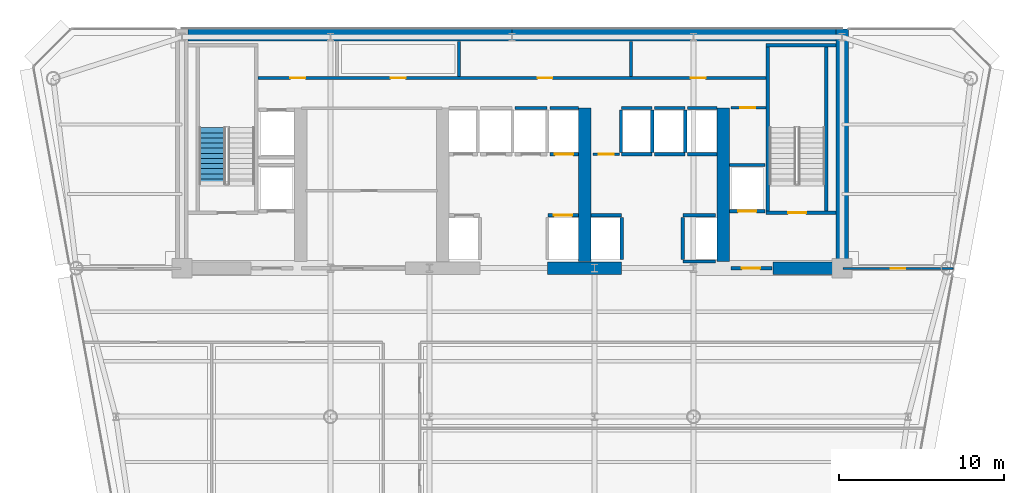
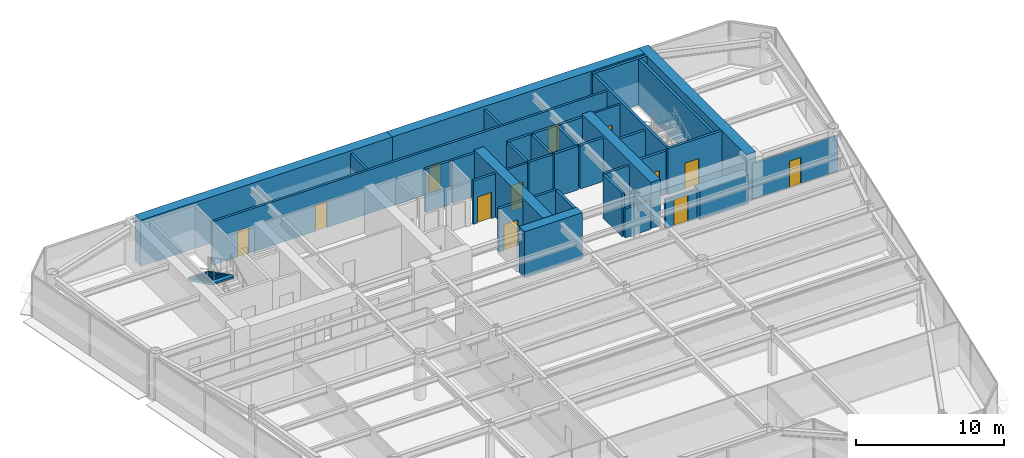
# One storey, part 12 of 17: 38 walls, 12 doors, 1 stair flight, 12 openings, 1 element without a shape of its own.
"""IFC4 building model written with IfcOpenShell, lengths in metres."""

from ifc_helpers import new_model, si_unit, direction, frame, frame_2d, origin, place, context, subcontext, project, spatial, polyline, rectangle, outline, extrude, source, transform, mapped, material, layer, layer_set, type_object, element, fill, aggregate, save


model = new_model("IFC4")

# Units and contexts
model_context = context("Model", 3, precision=1e-05, world=origin(), true_north=direction((0.0, 1.0)))
body_context = subcontext(model_context, "Body", "Model", "MODEL_VIEW")
ifc_project = project(units=[si_unit("LENGTHUNIT", "METRE"), si_unit("AREAUNIT", "SQUARE_METRE"), si_unit("VOLUMEUNIT", "CUBIC_METRE"), si_unit("PLANEANGLEUNIT", "RADIAN"), si_unit("MASSUNIT", "GRAM", prefix="KILO")], contexts=[model_context])

# Site, building, storey
site_placement = place(None, origin())
site = spatial("IfcSite", under=ifc_project, at=site_placement, CompositionType="ELEMENT")
building_placement = place(site_placement, origin())
building = spatial("IfcBuilding", under=site, at=building_placement, Name="Vaeldorn Concourse Tower", CompositionType="ELEMENT")
storey_placement = place(building_placement, frame((0.0, 0.0, 161.39990234375)))
storey = spatial("IfcBuildingStorey", under=building, at=storey_placement, Name="L41", CompositionType="ELEMENT", Elevation=161.39990234375)

# Walls
ifc_material_1 = material(Name="Concrete C60/75", Category="concrete")
ifc_layer_1 = layer(ifc_material_1, 0.75)
ifc_layer_set_1 = layer_set([ifc_layer_1], Name="Concrete C60/75")
wall_type_1 = type_object("IfcWallType", Name="WL-CORE-750", PredefinedType="SHEAR", material=ifc_layer_set_1)
for number, where, z_axis, x_axis, name in (
    (1, (14.37890625, 50.625, 0.0), (0.0, 0.0, 1.0), (1.0, 0.0, 0.0), "Rear Core Shear Wall L41 N1"),
    (2, (34.001953125, 50.625, 0.0), (0.0, 0.0, 1.0), (1.0, 0.0, 0.0), "Rear Core Shear Wall L41 N2"),
):
    element("IfcWall", number, at=place(storey_placement, frame(where, z_axis=z_axis, x_axis=x_axis)), inside=storey, type_object=wall_type_1, Name=name, PredefinedType="SHEAR", context=body_context, shape_type="SweptSolid", body=[
        extrude(rectangle(XDim=19.619140625, YDim=0.75, at=frame_2d((9.8095703125, 0.0))), origin(), (0.0, 0.0, 1.0), 3.800048828125),
    ])
wall_1_placement = place(storey_placement, frame((54.0, 36.5, 0.0), z_axis=(0.0, 0.0, 1.0), x_axis=(0.0, 1.0, 0.0)))
element("IfcWall", 3, at=wall_1_placement, inside=storey, type_object=wall_type_1, Name="Rear Core Shear Wall L41 E1", PredefinedType="SHEAR", context=body_context, shape_type="SweptSolid", body=[
    extrude(rectangle(XDim=14.5, YDim=0.75, at=frame_2d((7.25, 0.0))), origin(), (0.0, 0.0, 1.0), 3.800048828125),
])
wall_2_placement = place(storey_placement, frame((36.14990234375, 36.5, 0.0), z_axis=(0.0, 0.0, 1.0), x_axis=(1.0, 0.0, 0.0)))
element("IfcWall", 4, at=wall_2_placement, inside=storey, type_object=wall_type_1, Name="Rear Core Shear Wall L41 S3", PredefinedType="SHEAR", context=body_context, shape_type="SweptSolid", body=[
    extrude(rectangle(XDim=4.5, YDim=0.75, at=frame_2d((2.25, 0.0))), origin(), (0.0, 0.0, 1.0), 3.800048828125),
])
wall_3_placement = place(storey_placement, frame((49.800048828125, 36.5, 0.0), z_axis=(0.0, 0.0, 1.0), x_axis=(1.0, 0.0, 0.0)))
element("IfcWall", 5, at=wall_3_placement, inside=storey, type_object=wall_type_1, Name="Rear Core Shear Wall L41 S4", PredefinedType="SHEAR", context=body_context, shape_type="SweptSolid", body=[
    extrude(rectangle(XDim=3.804931640625, YDim=0.75, at=frame_2d((1.90234375, 0.0))), origin(), (0.0, 0.0, 1.0), 2.380126953125),
])
for number, where, z_axis, x_axis, name in (
    (6, (38.39990234375, 36.89501953125, 0.0), (0.0, 0.0, 1.0), (0.0, 1.0, 0.0), "Rear Core Shear Wall L41 M3"),
    (7, (46.800048828125, 36.89501953125, 0.0), (0.0, 0.0, 1.0), (0.0, 1.0, 0.0), "Rear Core Shear Wall L41 M4"),
):
    element("IfcWall", number, at=place(storey_placement, frame(where, z_axis=z_axis, x_axis=x_axis)), inside=storey, type_object=wall_type_1, Name=name, PredefinedType="SHEAR", context=body_context, shape_type="SweptSolid", body=[
        extrude(rectangle(XDim=9.304931640625, YDim=0.75, at=frame_2d((4.65234375, 0.0))), origin(), (0.0, 0.0, 1.0), 3.800048828125),
    ])

# Wall, opening, door
ifc_material_2 = material(Name="Gypsum Board Partition", Category="gypsum")
ifc_layer_2 = layer(ifc_material_2, 0.1201171875)
ifc_layer_set_2 = layer_set([ifc_layer_2], Name="Gypsum Board Partition")
wall_type_2 = type_object("IfcWallType", Name="WL-PART-120", PredefinedType="PARTITIONING", material=ifc_layer_set_2)
wall_4_placement = place(storey_placement, frame((54.06005859375, 36.47998046875, 0.0), z_axis=(0.0, 0.0, 1.0), x_axis=(1.0, 0.0, 0.0)))
wall_4 = element("IfcWall", 8, at=wall_4_placement, inside=storey, type_object=wall_type_2, Name="Interior Wall PW-L41-NES", PredefinedType="PARTITIONING", context=body_context, shape_type="SweptSolid", body=[
    extrude(rectangle(XDim=6.66552734375, YDim=0.1201171875, at=frame_2d((3.332763671875, 0.0))), origin(), (0.0, 0.0, 1.0), 2.97021484375),
])
opening_1_placement = place(wall_4_placement, frame((2.883056640625, 0.0, 0.0)))
opening_1 = element("IfcOpeningElement", 9, at=opening_1_placement, cuts=wall_4, Name="Opening D-03", PredefinedType="OPENING", context=body_context, shape_type="SweptSolid", body=[
    extrude(rectangle(XDim=0.89990234375, YDim=2.14990234375, at=frame_2d((0.449951171875, 1.074951171875))), frame((0.0, 0.070068359375, 0.0), z_axis=(0.0, -1.0, 0.0), x_axis=(1.0, 0.0, 0.0)), (0.0, 0.0, 1.0), 0.14013671875),
])
ifc_material_3 = material(Name="Acoustic Bronze-Framed Glass Door", Category="glass")
door_type_1 = type_object("IfcDoorType", Name="DR-INT-900", OperationType="NOTDEFINED", PredefinedType="DOOR", material=ifc_material_3)
shared_shape_1 = source(origin(), body_context, "Body", "SweptSolid", [
    extrude(rectangle(XDim=0.89990234375, YDim=2.14990234375, at=frame_2d((0.449951171875, 1.074951171875))), frame((0.0, 0.02490234375, 0.0), z_axis=(0.0, -1.0, 0.0), x_axis=(1.0, 0.0, 0.0)), (0.0, 0.0, 1.0), 0.050048828125),
])
door_1_placement = place(opening_1_placement, origin())
door_1 = element("IfcDoor", 10, at=door_1_placement, inside=storey, type_object=door_type_1, Name="Interior Door DR-L41-NEC", OperationType="SINGLE_SWING_RIGHT", OverallHeight=2.14990234375, OverallWidth=0.89990234375, PredefinedType="DOOR", context=body_context, shape_type="MappedRepresentation", body=[
    mapped(shared_shape_1, transform((0.0, 0.0, 0.0), scale=1.0)),
])
fill(opening_1, door_1)

ifc_layer_3 = layer(ifc_material_2, 0.14990234375)
ifc_layer_set_3 = layer_set([ifc_layer_3], Name="Gypsum Board Partition")
wall_type_3 = type_object("IfcWallType", Name="WL-PART-150", PredefinedType="PARTITIONING", material=ifc_layer_set_3)
wall_5_placement = place(storey_placement, frame((47.280029296875, 46.219970703125, 0.0), z_axis=(0.0, 0.0, 1.0), x_axis=(1.0, 0.0, 0.0)))
wall_5 = element("IfcWall", 11, at=wall_5_placement, inside=storey, type_object=wall_type_3, Name="Interior Wall CW-L41-CRSE-N", PredefinedType="PARTITIONING", context=body_context, shape_type="SweptSolid", body=[
    extrude(rectangle(XDim=2.099853515625, YDim=0.14990234375, at=frame_2d((1.0498046875, 0.0))), origin(), (0.0, 0.0, 1.0), 3.580078125),
])
opening_2_placement = place(wall_5_placement, frame((0.550048828125, 0.0, 0.0)))
opening_2 = element("IfcOpeningElement", 12, at=opening_2_placement, cuts=wall_5, Name="Opening D-02", PredefinedType="OPENING", context=body_context, shape_type="SweptSolid", body=[
    extrude(rectangle(XDim=0.89990234375, YDim=2.10009765625, at=frame_2d((0.449951171875, 1.050048828125))), frame((0.0, 0.0849609375, 0.0), z_axis=(0.0, -1.0, 0.0), x_axis=(1.0, 0.0, 0.0)), (0.0, 0.0, 1.0), 0.169921875),
])
ifc_material_4 = material(Name="Fire-Rated Timber Leaf", Category="wood")
door_type_2 = type_object("IfcDoorType", Name="DR-FD30-900", OperationType="NOTDEFINED", PredefinedType="DOOR", material=ifc_material_4)
shared_shape_2 = source(origin(), body_context, "Body", "SweptSolid", [
    extrude(rectangle(XDim=0.89990234375, YDim=2.10009765625, at=frame_2d((0.449951171875, 1.050048828125))), frame((0.0, 0.02490234375, 0.0), z_axis=(0.0, -1.0, 0.0), x_axis=(1.0, 0.0, 0.0)), (0.0, 0.0, 1.0), 0.050048828125),
])
door_2_placement = place(opening_2_placement, origin())
door_2 = element("IfcDoor", 13, at=door_2_placement, inside=storey, type_object=door_type_2, Name="Interior Door DR-L41-CRSE", OperationType="SINGLE_SWING_RIGHT", OverallHeight=2.10009765625, OverallWidth=0.89990234375, PredefinedType="DOOR", context=body_context, shape_type="MappedRepresentation", body=[
    mapped(shared_shape_2, transform((0.0, 0.0, 0.0), scale=1.0)),
])
fill(opening_2, door_2)

wall_6_placement = place(storey_placement, frame((38.919921875, 43.39990234375, 0.0), z_axis=(0.0, 0.0, 1.0), x_axis=(1.0, 0.0, 0.0)))
wall_6 = element("IfcWall", 14, at=wall_6_placement, inside=storey, type_object=wall_type_3, Name="Interior Wall CW-L41-CCLINK", PredefinedType="PARTITIONING", context=body_context, shape_type="SweptSolid", body=[
    extrude(rectangle(XDim=1.60009765625, YDim=0.14990234375, at=frame_2d((0.800048828125, 0.0))), origin(), (0.0, 0.0, 1.0), 3.580078125),
])
opening_3_placement = place(wall_6_placement, frame((0.35009765625, 0.0, 0.0)))
opening_3 = element("IfcOpeningElement", 15, at=opening_3_placement, cuts=wall_6, Name="Opening D-02", PredefinedType="OPENING", context=body_context, shape_type="SweptSolid", body=[
    extrude(rectangle(XDim=0.89990234375, YDim=2.10009765625, at=frame_2d((0.449951171875, 1.050048828125))), frame((0.0, 0.0849609375, 0.0), z_axis=(0.0, -1.0, 0.0), x_axis=(1.0, 0.0, 0.0)), (0.0, 0.0, 1.0), 0.169921875),
])
door_3_placement = place(opening_3_placement, origin())
door_3 = element("IfcDoor", 16, at=door_3_placement, inside=storey, type_object=door_type_2, Name="Interior Door DR-L41-CCLINK", OperationType="SINGLE_SWING_LEFT", OverallHeight=2.10009765625, OverallWidth=0.89990234375, PredefinedType="DOOR", context=body_context, shape_type="MappedRepresentation", body=[
    mapped(shared_shape_2, transform((0.0, 0.0, 0.0), scale=1.0)),
])
fill(opening_3, door_3)

# Wall, openings, doors
ifc_layer_4 = layer(ifc_material_2, 0.179931640625)
ifc_layer_set_4 = layer_set([ifc_layer_4], Name="Gypsum Board Partition")
wall_type_4 = type_object("IfcWallType", Name="WL-PLUMB-180", PredefinedType="PLUMBINGWALL", material=ifc_layer_set_4)
wall_7_placement = place(storey_placement, frame((18.6201171875, 48.02001953125, 0.0), z_axis=(0.0, 0.0, 1.0), x_axis=(1.0, 0.0, 0.0)))
wall_7 = element("IfcWall", 17, at=wall_7_placement, inside=storey, type_object=wall_type_4, Name="Interior Wall CW-L41-NS0", PredefinedType="PLUMBINGWALL", context=body_context, shape_type="SweptSolid", body=[
    extrude(rectangle(XDim=30.759765625, YDim=0.179931640625, at=frame_2d((15.3798828125, 0.0))), origin(), (0.0, 0.0, 1.0), 3.580078125),
])
opening_4_placement = place(wall_7_placement, frame((1.955078125, 0.0, 0.0)))
opening_4 = element("IfcOpeningElement", 18, at=opening_4_placement, cuts=wall_7, Name="Opening D-03", PredefinedType="OPENING", context=body_context, shape_type="SweptSolid", body=[
    extrude(rectangle(XDim=0.89990234375, YDim=2.14990234375, at=frame_2d((0.449951171875, 1.074951171875))), frame((0.0, 0.10009765625, 0.0), z_axis=(0.0, -1.0, 0.0), x_axis=(1.0, 0.0, 0.0)), (0.0, 0.0, 1.0), 0.199951171875),
])
opening_5_placement = place(wall_7_placement, frame((8.030029296875, 0.0, 0.0)))
opening_5 = element("IfcOpeningElement", 19, at=opening_5_placement, cuts=wall_7, Name="Opening D-03", PredefinedType="OPENING", context=body_context, shape_type="SweptSolid", body=[
    extrude(rectangle(XDim=0.89990234375, YDim=2.14990234375, at=frame_2d((0.449951171875, 1.074951171875))), frame((0.0, 0.10009765625, 0.0), z_axis=(0.0, -1.0, 0.0), x_axis=(1.0, 0.0, 0.0)), (0.0, 0.0, 1.0), 0.199951171875),
])
opening_6_placement = place(wall_7_placement, frame((16.929931640625, 0.0, 0.0)))
opening_6 = element("IfcOpeningElement", 20, at=opening_6_placement, cuts=wall_7, Name="Opening D-03", PredefinedType="OPENING", context=body_context, shape_type="SweptSolid", body=[
    extrude(rectangle(XDim=0.89990234375, YDim=2.14990234375, at=frame_2d((0.449951171875, 1.074951171875))), frame((0.0, 0.10009765625, 0.0), z_axis=(0.0, -1.0, 0.0), x_axis=(1.0, 0.0, 0.0)), (0.0, 0.0, 1.0), 0.199951171875),
])
opening_7_placement = place(wall_7_placement, frame((26.205078125, 0.0, 0.0)))
opening_7 = element("IfcOpeningElement", 21, at=opening_7_placement, cuts=wall_7, Name="Opening D-03", PredefinedType="OPENING", context=body_context, shape_type="SweptSolid", body=[
    extrude(rectangle(XDim=0.89990234375, YDim=2.14990234375, at=frame_2d((0.449951171875, 1.074951171875))), frame((0.0, 0.10009765625, 0.0), z_axis=(0.0, -1.0, 0.0), x_axis=(1.0, 0.0, 0.0)), (0.0, 0.0, 1.0), 0.199951171875),
])
door_4_placement = place(opening_4_placement, origin())
door_4 = element("IfcDoor", 22, at=door_4_placement, inside=storey, type_object=door_type_1, Name="Interior Door DR-L41-CS1", OperationType="SINGLE_SWING_LEFT", OverallHeight=2.14990234375, OverallWidth=0.89990234375, PredefinedType="DOOR", context=body_context, shape_type="MappedRepresentation", body=[
    mapped(shared_shape_1, transform((0.0, 0.0, 0.0), scale=1.0)),
])
fill(opening_4, door_4)
door_5_placement = place(opening_5_placement, origin())
door_5 = element("IfcDoor", 23, at=door_5_placement, inside=storey, type_object=door_type_1, Name="Interior Door DR-L41-CS2", OperationType="SINGLE_SWING_RIGHT", OverallHeight=2.14990234375, OverallWidth=0.89990234375, PredefinedType="DOOR", context=body_context, shape_type="MappedRepresentation", body=[
    mapped(shared_shape_1, transform((0.0, 0.0, 0.0), scale=1.0)),
])
fill(opening_5, door_5)
door_6_placement = place(opening_6_placement, origin())
door_6 = element("IfcDoor", 24, at=door_6_placement, inside=storey, type_object=door_type_1, Name="Interior Door DR-L41-CS3", OperationType="SINGLE_SWING_LEFT", OverallHeight=2.14990234375, OverallWidth=0.89990234375, PredefinedType="DOOR", context=body_context, shape_type="MappedRepresentation", body=[
    mapped(shared_shape_1, transform((0.0, 0.0, 0.0), scale=1.0)),
])
fill(opening_6, door_6)
door_7_placement = place(opening_7_placement, origin())
door_7 = element("IfcDoor", 25, at=door_7_placement, inside=storey, type_object=door_type_1, Name="Interior Door DR-L41-CS4", OperationType="SINGLE_SWING_RIGHT", OverallHeight=2.14990234375, OverallWidth=0.89990234375, PredefinedType="DOOR", context=body_context, shape_type="MappedRepresentation", body=[
    mapped(shared_shape_1, transform((0.0, 0.0, 0.0), scale=1.0)),
])
fill(opening_7, door_7)

# Walls
for number, where, z_axis, x_axis, name in (
    (26, (30.800048828125, 48.10009765625, 0.0), (0.0, 0.0, 1.0), (0.0, 1.0, 0.0), "Interior Wall CW-L41-NDIV2"),
    (27, (41.199951171875, 48.10009765625, 0.0), (0.0, 0.0, 1.0), (0.0, 1.0, 0.0), "Interior Wall CW-L41-NDIV3"),
):
    element("IfcWall", number, at=place(storey_placement, frame(where, z_axis=z_axis, x_axis=x_axis)), inside=storey, type_object=wall_type_4, Name=name, PredefinedType="PLUMBINGWALL", context=body_context, shape_type="SweptSolid", body=[
        extrude(rectangle(XDim=2.1298828125, YDim=0.179931640625, at=frame_2d((1.06494140625, 0.0))), origin(), (0.0, 0.0, 1.0), 3.580078125),
    ])

# Wall, opening, door
ifc_material_5 = material(Name="Concrete C50/60", Category="concrete")
ifc_layer_5 = layer(ifc_material_5, 0.199951171875)
ifc_layer_set_5 = layer_set([ifc_layer_5], Name="Concrete C50/60")
wall_type_5 = type_object("IfcWallType", Name="WL-SHAFT-200", PredefinedType="SOLIDWALL", material=ifc_layer_set_5)
wall_8_placement = place(storey_placement, frame((49.39990234375, 39.85009765625, 0.0), z_axis=(0.0, 0.0, 1.0), x_axis=(1.0, 0.0, 0.0)))
wall_8 = element("IfcWall", 28, at=wall_8_placement, inside=storey, type_object=wall_type_5, Name="Stair Shaft Wall CW-L41-ST-2-S", PredefinedType="SOLIDWALL", context=body_context, shape_type="SweptSolid", body=[
    extrude(rectangle(XDim=4.22509765625, YDim=0.199951171875, at=frame_2d((2.112548828125, 0.0))), origin(), (0.0, 0.0, 1.0), 3.800048828125),
])
opening_8_placement = place(wall_8_placement, frame((1.324951171875, 0.0, 0.0)))
opening_8 = element("IfcOpeningElement", 29, at=opening_8_placement, cuts=wall_8, Name="Opening D-01", PredefinedType="OPENING", context=body_context, shape_type="SweptSolid", body=[
    extrude(rectangle(XDim=1.10009765625, YDim=2.14990234375, at=frame_2d((0.550048828125, 1.074951171875))), frame((0.0, 0.10986328125, 0.0), z_axis=(0.0, -1.0, 0.0), x_axis=(1.0, 0.0, 0.0)), (0.0, 0.0, 1.0), 0.219970703125),
])
ifc_material_6 = material(Name="Fire-Rated Timber and Steel Leaf", Category="steel")
door_type_3 = type_object("IfcDoorType", Name="DR-FD60-1100", OperationType="NOTDEFINED", PredefinedType="DOOR", material=ifc_material_6)
shared_shape_3 = source(origin(), body_context, "Body", "SweptSolid", [
    extrude(rectangle(XDim=1.10009765625, YDim=2.14990234375, at=frame_2d((0.550048828125, 1.074951171875))), frame((0.0, 0.02490234375, 0.0), z_axis=(0.0, -1.0, 0.0), x_axis=(1.0, 0.0, 0.0)), (0.0, 0.0, 1.0), 0.050048828125),
])
door_8_placement = place(opening_8_placement, origin())
door_8 = element("IfcDoor", 30, at=door_8_placement, inside=storey, type_object=door_type_3, Name="Interior Door DR-L41-ST-2", OperationType="SINGLE_SWING_RIGHT", OverallHeight=2.14990234375, OverallWidth=1.10009765625, PredefinedType="DOOR", context=body_context, shape_type="MappedRepresentation", body=[
    mapped(shared_shape_3, transform((0.0, 0.0, 0.0), scale=1.0)),
])
fill(opening_8, door_8)

# Walls
wall_9_placement = place(storey_placement, frame((49.39990234375, 50.0, 0.0), z_axis=(0.0, 0.0, 1.0), x_axis=(1.0, 0.0, 0.0)))
element("IfcWall", 31, at=wall_9_placement, inside=storey, type_object=wall_type_5, Name="Stair Shaft Wall CW-L41-ST-2-N", PredefinedType="SOLIDWALL", context=body_context, shape_type="SweptSolid", body=[
    extrude(rectangle(XDim=4.22509765625, YDim=0.199951171875, at=frame_2d((2.112548828125, 0.0))), origin(), (0.0, 0.0, 1.0), 3.800048828125),
])
for number, where, z_axis, x_axis, name in (
    (32, (49.5, 39.9599609375, 0.0), (0.0, 0.0, 1.0), (0.0, 1.0, 0.0), "Stair Shaft Wall CW-L41-ST-2-W"),
    (33, (53.050048828125, 39.9599609375, 0.0), (0.0, 0.0, 1.0), (0.0, 1.0, 0.0), "Stair Shaft Wall CW-L41-ST-2-E"),
):
    element("IfcWall", number, at=place(storey_placement, frame(where, z_axis=z_axis, x_axis=x_axis)), inside=storey, type_object=wall_type_5, Name=name, PredefinedType="SOLIDWALL", context=body_context, shape_type="SweptSolid", body=[
        extrude(rectangle(XDim=9.929931640625, YDim=0.199951171875, at=frame_2d((4.96484375, 0.0))), origin(), (0.0, 0.0, 1.0), 3.800048828125),
    ])

# Wall, opening, door
wall_10_placement = place(storey_placement, frame((47.280029296875, 36.5, 0.0), z_axis=(0.0, 0.0, 1.0), x_axis=(1.0, 0.0, 0.0)))
wall_10 = element("IfcWall", 34, at=wall_10_placement, inside=storey, type_object=wall_type_5, Name="Interior Wall CW-L41-FF2S", PredefinedType="SOLIDWALL", context=body_context, shape_type="SweptSolid", body=[
    extrude(rectangle(XDim=2.469970703125, YDim=0.199951171875, at=frame_2d((1.23486328125, 0.0))), origin(), (0.0, 0.0, 1.0), 2.3701171875),
])
opening_9_placement = place(wall_10_placement, frame((0.64990234375, 0.0, 0.0)))
opening_9 = element("IfcOpeningElement", 35, at=opening_9_placement, cuts=wall_10, Name="Opening D-01", PredefinedType="OPENING", context=body_context, shape_type="SweptSolid", body=[
    extrude(rectangle(XDim=1.10009765625, YDim=2.14990234375, at=frame_2d((0.550048828125, 1.074951171875))), frame((0.0, 0.10986328125, 0.0), z_axis=(0.0, -1.0, 0.0), x_axis=(1.0, 0.0, 0.0)), (0.0, 0.0, 1.0), 0.219970703125),
])
door_9_placement = place(opening_9_placement, origin())
door_9 = element("IfcDoor", 36, at=door_9_placement, inside=storey, type_object=door_type_3, Name="Interior Door DR-L41-FF2W", OperationType="SINGLE_SWING_LEFT", OverallHeight=2.14990234375, OverallWidth=1.10009765625, PredefinedType="DOOR", context=body_context, shape_type="MappedRepresentation", body=[
    mapped(shared_shape_3, transform((0.0, 0.0, 0.0), scale=1.0)),
])
fill(opening_9, door_9)

wall_11_placement = place(storey_placement, frame((36.169921875, 39.699951171875, 0.0), z_axis=(0.0, 0.0, 1.0), x_axis=(1.0, 0.0, 0.0)))
wall_11 = element("IfcWall", 37, at=wall_11_placement, inside=storey, type_object=wall_type_5, Name="Interior Wall CW-L41-LF-LF-08", PredefinedType="SOLIDWALL", context=body_context, shape_type="SweptSolid", body=[
    extrude(rectangle(XDim=1.844970703125, YDim=0.199951171875, at=frame_2d((0.92236328125, 0.0))), origin(), (0.0, 0.0, 1.0), 3.580078125),
])
opening_10_placement = place(wall_11_placement, frame((0.3720703125, 0.0, 0.0)))
opening_10 = element("IfcOpeningElement", 38, at=opening_10_placement, cuts=wall_11, Name="Opening LD-1", PredefinedType="OPENING", context=body_context, shape_type="SweptSolid", body=[
    extrude(rectangle(XDim=1.10009765625, YDim=2.14990234375, at=frame_2d((0.550048828125, 1.074951171875))), frame((0.0, 0.10986328125, 0.0), z_axis=(0.0, -1.0, 0.0), x_axis=(1.0, 0.0, 0.0)), (0.0, 0.0, 1.0), 0.219970703125),
])
ifc_material_7 = material(Name="Anodised Bronze Aluminium", Category="aluminium")
door_type_4 = type_object("IfcDoorType", Name="DR-LIFT-SLIDE-1100", OperationType="DOUBLE_DOOR_SLIDING", PredefinedType="DOOR", material=ifc_material_7)
door_10_placement = place(opening_10_placement, origin())
door_10 = element("IfcDoor", 39, at=door_10_placement, inside=storey, type_object=door_type_4, Name="Lift Landing Door LD-L41-LF-08", OperationType="DOUBLE_DOOR_SLIDING", OverallHeight=2.14990234375, OverallWidth=1.10009765625, PredefinedType="DOOR", context=body_context, shape_type="MappedRepresentation", body=[
    mapped(shared_shape_3, transform((0.0, 0.0, 0.0), scale=1.0)),
])
fill(opening_10, door_10)

# Wall
wall_12_placement = place(storey_placement, frame((34.18994140625, 46.199951171875, 0.0), z_axis=(0.0, 0.0, 1.0), x_axis=(1.0, 0.0, 0.0)))
element("IfcWall", 40, at=wall_12_placement, inside=storey, type_object=wall_type_5, Name="Interior Wall CW-L41-LFB-LF-11", PredefinedType="SOLIDWALL", context=body_context, shape_type="SweptSolid", body=[
    extrude(rectangle(XDim=1.920166015625, YDim=0.199951171875, at=frame_2d((0.9599609375, 0.0))), origin(), (0.0, 0.0, 1.0), 3.580078125),
])

# Wall, opening, door
wall_13_placement = place(storey_placement, frame((36.2900390625, 43.39990234375, 0.0), z_axis=(0.0, 0.0, 1.0), x_axis=(1.0, 0.0, 0.0)))
wall_13 = element("IfcWall", 41, at=wall_13_placement, inside=storey, type_object=wall_type_5, Name="Interior Wall CW-L41-LF-LF-12", PredefinedType="SOLIDWALL", context=body_context, shape_type="SweptSolid", body=[
    extrude(rectangle(XDim=1.724853515625, YDim=0.199951171875, at=frame_2d((0.8623046875, 0.0))), origin(), (0.0, 0.0, 1.0), 3.580078125),
])
opening_11_placement = place(wall_13_placement, frame((0.31298828125, 0.0, 0.0)))
opening_11 = element("IfcOpeningElement", 42, at=opening_11_placement, cuts=wall_13, Name="Opening LD-1", PredefinedType="OPENING", context=body_context, shape_type="SweptSolid", body=[
    extrude(rectangle(XDim=1.10009765625, YDim=2.14990234375, at=frame_2d((0.550048828125, 1.074951171875))), frame((0.0, 0.10986328125, 0.0), z_axis=(0.0, -1.0, 0.0), x_axis=(1.0, 0.0, 0.0)), (0.0, 0.0, 1.0), 0.219970703125),
])
door_11_placement = place(opening_11_placement, origin())
door_11 = element("IfcDoor", 43, at=door_11_placement, inside=storey, type_object=door_type_4, Name="Lift Landing Door LD-L41-LF-12", OperationType="DOUBLE_DOOR_SLIDING", OverallHeight=2.14990234375, OverallWidth=1.10009765625, PredefinedType="DOOR", context=body_context, shape_type="MappedRepresentation", body=[
    mapped(shared_shape_3, transform((0.0, 0.0, 0.0), scale=1.0)),
])
fill(opening_11, door_11)

# Walls
wall_14_placement = place(storey_placement, frame((36.2900390625, 46.199951171875, 0.0), z_axis=(0.0, 0.0, 1.0), x_axis=(1.0, 0.0, 0.0)))
element("IfcWall", 44, at=wall_14_placement, inside=storey, type_object=wall_type_5, Name="Interior Wall CW-L41-LFB-LF-12", PredefinedType="SOLIDWALL", context=body_context, shape_type="SweptSolid", body=[
    extrude(rectangle(XDim=1.724853515625, YDim=0.199951171875, at=frame_2d((0.8623046875, 0.0))), origin(), (0.0, 0.0, 1.0), 3.580078125),
])
wall_15_placement = place(storey_placement, frame((38.784912109375, 39.699951171875, 0.0), z_axis=(0.0, 0.0, 1.0), x_axis=(1.0, 0.0, 0.0)))
element("IfcWall", 45, at=wall_15_placement, inside=storey, type_object=wall_type_5, Name="Interior Wall CW-L41-LF-LF-13", PredefinedType="SOLIDWALL", context=body_context, shape_type="SweptSolid", body=[
    extrude(rectangle(XDim=1.844970703125, YDim=0.199951171875, at=frame_2d((0.92236328125, 0.0))), origin(), (0.0, 0.0, 1.0), 3.580078125),
])
wall_16_placement = place(storey_placement, frame((40.64990234375, 37.02001953125, 0.0), z_axis=(0.0, 0.0, 1.0), x_axis=(0.0, 1.0, 0.0)))
element("IfcWall", 46, at=wall_16_placement, inside=storey, type_object=wall_type_5, Name="Interior Wall CW-L41-LFE-LF-13", PredefinedType="SOLIDWALL", context=body_context, shape_type="SweptSolid", body=[
    extrude(rectangle(XDim=2.56005859375, YDim=0.199951171875, at=frame_2d((1.280029296875, 0.0))), origin(), (0.0, 0.0, 1.0), 3.580078125),
])
wall_17_placement = place(storey_placement, frame((44.3701171875, 39.699951171875, 0.0), z_axis=(0.0, 0.0, 1.0), x_axis=(1.0, 0.0, 0.0)))
element("IfcWall", 47, at=wall_17_placement, inside=storey, type_object=wall_type_5, Name="Interior Wall CW-L41-LF-LF-14", PredefinedType="SOLIDWALL", context=body_context, shape_type="SweptSolid", body=[
    extrude(rectangle(XDim=1.9599609375, YDim=0.199951171875, at=frame_2d((0.97998046875, 0.0))), origin(), (0.0, 0.0, 1.0), 3.580078125),
])
wall_18_placement = place(storey_placement, frame((44.3701171875, 36.89990234375, 0.0), z_axis=(0.0, 0.0, 1.0), x_axis=(1.0, 0.0, 0.0)))
element("IfcWall", 48, at=wall_18_placement, inside=storey, type_object=wall_type_5, Name="Interior Wall CW-L41-LFB-LF-14", PredefinedType="SOLIDWALL", context=body_context, shape_type="SweptSolid", body=[
    extrude(rectangle(XDim=1.9599609375, YDim=0.199951171875, at=frame_2d((0.97998046875, 0.0))), origin(), (0.0, 0.0, 1.0), 2.3701171875),
])
wall_19_placement = place(storey_placement, frame((44.35009765625, 37.02001953125, 0.0), z_axis=(0.0, 0.0, 1.0), x_axis=(0.0, 1.0, 0.0)))
element("IfcWall", 49, at=wall_19_placement, inside=storey, type_object=wall_type_5, Name="Interior Wall CW-L41-LFW-LF-14", PredefinedType="SOLIDWALL", context=body_context, shape_type="SweptSolid", body=[
    extrude(rectangle(XDim=2.56005859375, YDim=0.199951171875, at=frame_2d((1.280029296875, 0.0))), origin(), (0.0, 0.0, 1.0), 3.580078125),
])
for number, where, z_axis, x_axis, name in (
    (50, (40.6201171875, 43.39990234375, 0.0), (0.0, 0.0, 1.0), (1.0, 0.0, 0.0), "Interior Wall CW-L41-LF-LF-15"),
    (51, (40.6201171875, 46.199951171875, 0.0), (0.0, 0.0, 1.0), (1.0, 0.0, 0.0), "Interior Wall CW-L41-LFB-LF-15"),
):
    element("IfcWall", number, at=place(storey_placement, frame(where, z_axis=z_axis, x_axis=x_axis)), inside=storey, type_object=wall_type_5, Name=name, PredefinedType="SOLIDWALL", context=body_context, shape_type="SweptSolid", body=[
        extrude(rectangle(XDim=1.85986328125, YDim=0.199951171875, at=frame_2d((0.929931640625, 0.0))), origin(), (0.0, 0.0, 1.0), 3.580078125),
    ])
for number, where, z_axis, x_axis, name in (
    (52, (40.60009765625, 43.52001953125, 0.0), (0.0, 0.0, 1.0), (0.0, 1.0, 0.0), "Interior Wall CW-L41-LFW-LF-15"),
    (53, (42.5, 43.52001953125, 0.0), (0.0, 0.0, 1.0), (0.0, 1.0, 0.0), "Interior Wall CW-L41-LFE-LF-15"),
):
    element("IfcWall", number, at=place(storey_placement, frame(where, z_axis=z_axis, x_axis=x_axis)), inside=storey, type_object=wall_type_5, Name=name, PredefinedType="SOLIDWALL", context=body_context, shape_type="SweptSolid", body=[
        extrude(rectangle(XDim=2.56005859375, YDim=0.199951171875, at=frame_2d((1.280029296875, 0.0))), origin(), (0.0, 0.0, 1.0), 3.580078125),
    ])
for number, where, z_axis, x_axis, name in (
    (54, (42.6201171875, 43.39990234375, 0.0), (0.0, 0.0, 1.0), (1.0, 0.0, 0.0), "Interior Wall CW-L41-LF-LF-16"),
    (55, (42.6201171875, 46.199951171875, 0.0), (0.0, 0.0, 1.0), (1.0, 0.0, 0.0), "Interior Wall CW-L41-LFB-LF-16"),
):
    element("IfcWall", number, at=place(storey_placement, frame(where, z_axis=z_axis, x_axis=x_axis)), inside=storey, type_object=wall_type_5, Name=name, PredefinedType="SOLIDWALL", context=body_context, shape_type="SweptSolid", body=[
        extrude(rectangle(XDim=1.85986328125, YDim=0.199951171875, at=frame_2d((0.929931640625, 0.0))), origin(), (0.0, 0.0, 1.0), 3.580078125),
    ])
wall_20_placement = place(storey_placement, frame((44.5, 43.52001953125, 0.0), z_axis=(0.0, 0.0, 1.0), x_axis=(0.0, 1.0, 0.0)))
element("IfcWall", 56, at=wall_20_placement, inside=storey, type_object=wall_type_5, Name="Interior Wall CW-L41-LFE-LF-16", PredefinedType="SOLIDWALL", context=body_context, shape_type="SweptSolid", body=[
    extrude(rectangle(XDim=2.56005859375, YDim=0.199951171875, at=frame_2d((1.280029296875, 0.0))), origin(), (0.0, 0.0, 1.0), 3.580078125),
])
for number, where, z_axis, x_axis, name in (
    (57, (44.6201171875, 43.39990234375, 0.0), (0.0, 0.0, 1.0), (1.0, 0.0, 0.0), "Interior Wall CW-L41-LF-LF-17"),
    (58, (44.6201171875, 46.199951171875, 0.0), (0.0, 0.0, 1.0), (1.0, 0.0, 0.0), "Interior Wall CW-L41-LFB-LF-17"),
):
    element("IfcWall", number, at=place(storey_placement, frame(where, z_axis=z_axis, x_axis=x_axis)), inside=storey, type_object=wall_type_5, Name=name, PredefinedType="SOLIDWALL", context=body_context, shape_type="SweptSolid", body=[
        extrude(rectangle(XDim=1.794921875, YDim=0.199951171875, at=frame_2d((0.8974609375, 0.0))), origin(), (0.0, 0.0, 1.0), 3.580078125),
    ])

# Wall, opening, door
wall_21_placement = place(storey_placement, frame((47.18505859375, 39.949951171875, 0.0), z_axis=(0.0, 0.0, 1.0), x_axis=(1.0, 0.0, 0.0)))
wall_21 = element("IfcWall", 59, at=wall_21_placement, inside=storey, type_object=wall_type_5, Name="Interior Wall CW-L41-LF-LF-FF2", PredefinedType="SOLIDWALL", context=body_context, shape_type="SweptSolid", body=[
    extrude(rectangle(XDim=2.14501953125, YDim=0.199951171875, at=frame_2d((1.072509765625, 0.0))), origin(), (0.0, 0.0, 1.0), 3.580078125),
])
opening_12_placement = place(wall_21_placement, frame((0.52197265625, 0.0, 0.0)))
opening_12 = element("IfcOpeningElement", 60, at=opening_12_placement, cuts=wall_21, Name="Opening LD-1", PredefinedType="OPENING", context=body_context, shape_type="SweptSolid", body=[
    extrude(rectangle(XDim=1.10009765625, YDim=2.14990234375, at=frame_2d((0.550048828125, 1.074951171875))), frame((0.0, 0.10986328125, 0.0), z_axis=(0.0, -1.0, 0.0), x_axis=(1.0, 0.0, 0.0)), (0.0, 0.0, 1.0), 0.219970703125),
])
door_12_placement = place(opening_12_placement, origin())
door_12 = element("IfcDoor", 61, at=door_12_placement, inside=storey, type_object=door_type_4, Name="Lift Landing Door LD-L41-LF-FF2", OperationType="DOUBLE_DOOR_SLIDING", OverallHeight=2.14990234375, OverallWidth=1.10009765625, PredefinedType="DOOR", context=body_context, shape_type="MappedRepresentation", body=[
    mapped(shared_shape_3, transform((0.0, 0.0, 0.0), scale=1.0)),
])
fill(opening_12, door_12)

# Wall
wall_22_placement = place(storey_placement, frame((47.18505859375, 42.75, 0.0), z_axis=(0.0, 0.0, 1.0), x_axis=(1.0, 0.0, 0.0)))
element("IfcWall", 62, at=wall_22_placement, inside=storey, type_object=wall_type_5, Name="Interior Wall CW-L41-LFB-LF-FF2", PredefinedType="SOLIDWALL", context=body_context, shape_type="SweptSolid", body=[
    extrude(rectangle(XDim=2.14501953125, YDim=0.199951171875, at=frame_2d((1.072509765625, 0.0))), origin(), (0.0, 0.0, 1.0), 3.580078125),
])

# Stair, stair flight
ifc_material_8 = material(Name="Precast concrete C40/50", Category="concrete")
stair_type = type_object("IfcStairType", Name="STR-DOG-24x158", PredefinedType="HALF_TURN_STAIR", material=ifc_material_8)
stair_placement = place(storey_placement, origin())
stair = element("IfcStair", 63, at=stair_placement, inside=storey, type_object=stair_type, Name="L41 West Core Exit Stair ST-1", PredefinedType="HALF_TURN_STAIR")
stair_flight_type = type_object("IfcStairFlightType", Name="STF-STR-12x158", PredefinedType="STRAIGHT", material=ifc_material_8)
stair_flight_placement = place(storey_placement, frame((15.85009765625, 45.010009765625, 1.900146484375), z_axis=(0.0, 0.0, 1.0), x_axis=(0.0, -1.0, 0.0)))
stair_flight = element("IfcStairFlight", 64, at=stair_flight_placement, type_object=stair_flight_type, Name="ST-1 flight 2", NumberOfRisers=12, NumberOfTreads=11, PredefinedType="STRAIGHT", RiserHeight=0.158333333, TreadLength=0.31, context=body_context, shape_type="SweptSolid", body=[
    extrude(outline(polyline([(0.0, 0.0), (0.0, 0.158447265625), (0.31005859375, 0.158447265625), (0.31005859375, 0.316650390625), (0.6201171875, 0.316650390625), (0.6201171875, 0.47509765625), (0.929931640625, 0.47509765625), (0.929931640625, 0.63330078125), (1.239990234375, 0.63330078125), (1.239990234375, 0.791748046875), (1.550048828125, 0.791748046875), (1.550048828125, 0.949951171875), (1.860107421875, 0.949951171875), (1.860107421875, 1.1083984375), (2.169921875, 1.1083984375), (2.169921875, 1.2666015625), (2.47998046875, 1.2666015625), (2.47998046875, 1.425048828125), (2.7900390625, 1.425048828125), (2.7900390625, 1.583251953125), (3.10009765625, 1.583251953125), (3.10009765625, 1.74169921875), (3.409912109375, 1.74169921875), (3.409912109375, 1.89990234375), (3.409912109375, 1.5732421875), (0.32958984375, 0.0), (0.0, 0.0)])), frame((0.0, 0.800048828125, 0.0), z_axis=(0.0, -1.0, 0.0), x_axis=(1.0, 0.0, 0.0)), (0.0, 0.0, 1.0), 1.60009765625),
])
aggregate(stair, [stair_flight])

save(model, "model.ifc")
